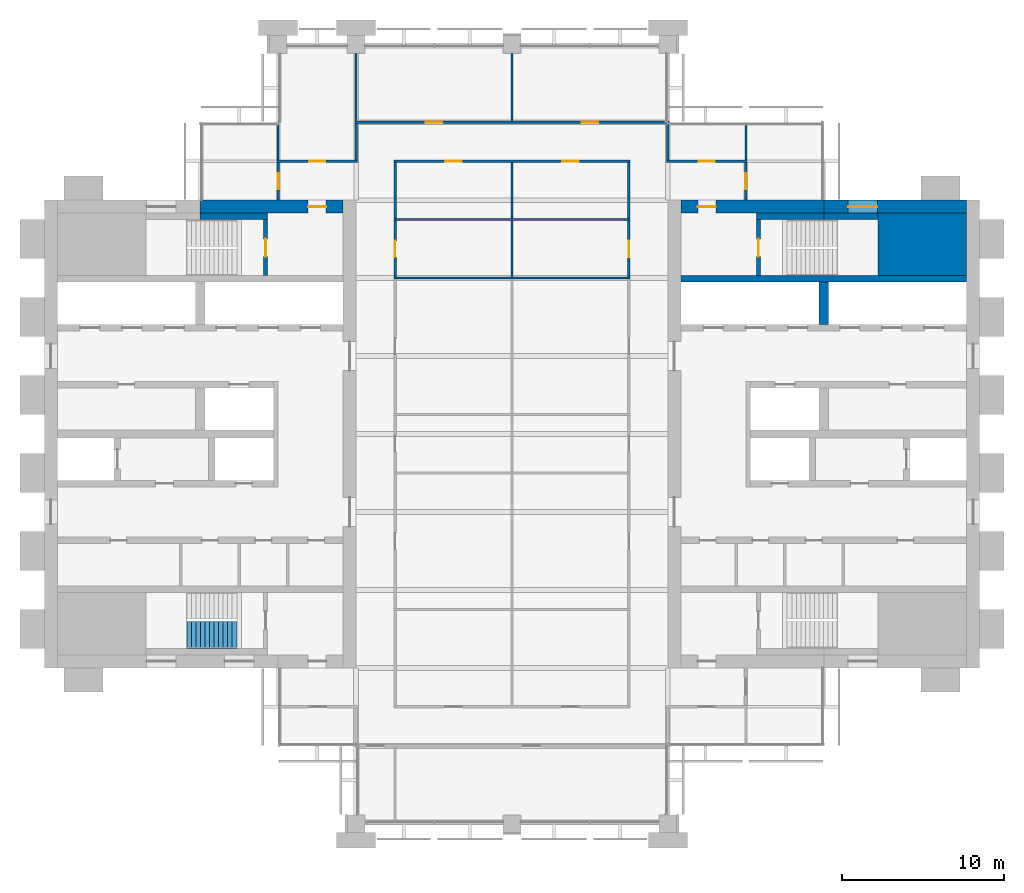
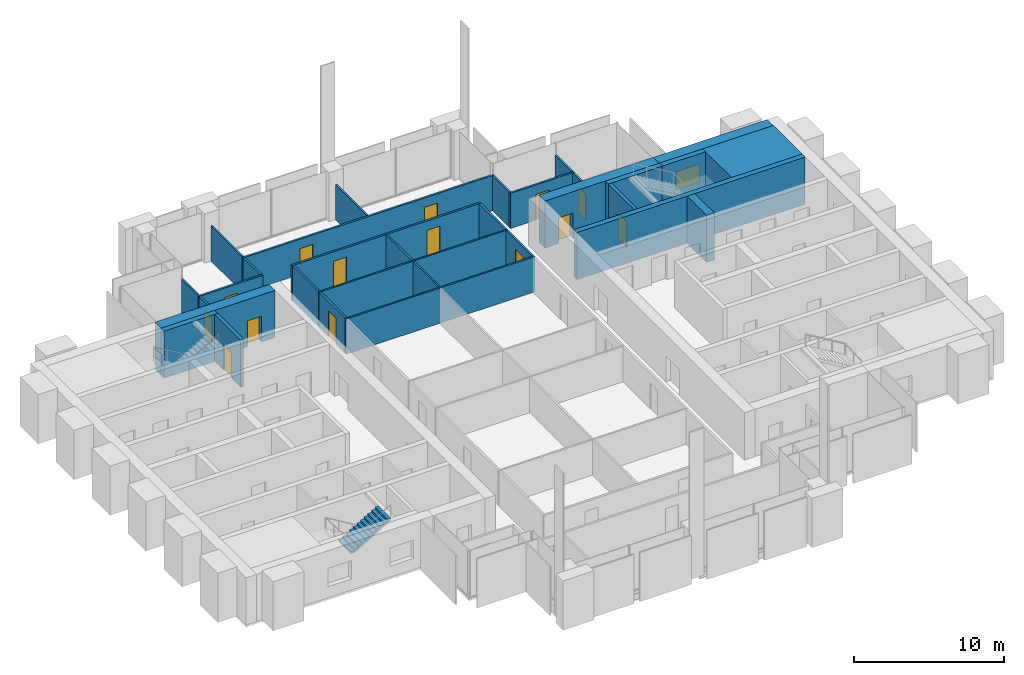
# One storey, part 11 of 13: 31 walls, 14 doors, 1 stair flight, 1 window, 15 openings, 1 element without a shape of its own.
"""IFC4 building model written with IfcOpenShell, lengths in metres."""

from ifc_helpers import new_model, si_unit, direction, frame, frame_2d, origin, place, context, subcontext, project, spatial, polyline, rectangle, outline, extrude, material, layer, layer_set, type_object, element, fill, aggregate, save


model = new_model("IFC4")

# Units and contexts
model_context = context("Model", 3, precision=1e-05, world=origin(), true_north=direction((0.0, 1.0)))
body_context = subcontext(model_context, "Body", "Model", "MODEL_VIEW")
ifc_project = project(units=[si_unit("LENGTHUNIT", "METRE"), si_unit("AREAUNIT", "SQUARE_METRE"), si_unit("VOLUMEUNIT", "CUBIC_METRE"), si_unit("PLANEANGLEUNIT", "RADIAN"), si_unit("MASSUNIT", "GRAM", prefix="KILO")], contexts=[model_context])

# Site, building, storey
site_placement = place(None, origin())
site = spatial("IfcSite", under=ifc_project, at=site_placement, CompositionType="ELEMENT")
building_placement = place(site_placement, origin())
building = spatial("IfcBuilding", under=site, at=building_placement, Name="Baori Bourse Tower", CompositionType="ELEMENT")
storey_placement = place(building_placement, frame((0.0, 0.0, 225.199951171875)))
storey = spatial("IfcBuildingStorey", under=building, at=storey_placement, Name="L49", CompositionType="ELEMENT", Elevation=225.199951171875)

# Wall
ifc_material_1 = material(Name="Concrete f'c 50 MPa", Category="concrete")
wall_type_1 = type_object("IfcWallType", Name="Core corner block f'c 50", PredefinedType="SHEAR", material=ifc_material_1)
wall_1_placement = place(storey_placement, frame((51.35009765625, 35.675048828125, 0.0), z_axis=(0.0, 0.0, 1.0), x_axis=(1.0, 0.0, 0.0)))
element("IfcWall", 1, at=wall_1_placement, inside=storey, type_object=wall_type_1, Name="Core wall E24", PredefinedType="SHEAR", context=body_context, shape_type="SweptSolid", body=[
    extrude(rectangle(XDim=5.449951171875, YDim=3.85009765625, at=frame_2d((2.72509765625, 0.0))), origin(), (0.0, 0.0, 1.0), 3.840087890625),
])

# Wall, opening, door
ifc_material_2 = material(Name="Concrete f'c 50 MPa", Category="concrete")
ifc_layer_1 = layer(ifc_material_2, 0.800048828125)
ifc_layer_set_1 = layer_set([ifc_layer_1], Name="Core wall 800 f'c 50")
wall_type_2 = type_object("IfcWallType", Name="Core wall 800 f'c 50", PredefinedType="SHEAR", material=ifc_layer_set_1)
wall_2_placement = place(storey_placement, frame((9.60009765625, 38.0, 0.0), z_axis=(0.0, 0.0, 1.0), x_axis=(1.0, 0.0, 0.0)))
wall_2 = element("IfcWall", 2, at=wall_2_placement, inside=storey, type_object=wall_type_2, Name="Core wall W28", PredefinedType="SHEAR", context=body_context, shape_type="SweptSolid", body=[
    extrude(rectangle(XDim=8.7998046875, YDim=0.800048828125, at=frame_2d((4.39990234375, 0.0))), origin(), (0.0, 0.0, 1.0), 3.840087890625),
])
opening_1_placement = place(wall_2_placement, frame((6.64990234375, 0.0, 0.0)))
opening_1 = element("IfcOpeningElement", 3, at=opening_1_placement, cuts=wall_2, Name="Opening L49-D104", PredefinedType="OPENING", context=body_context, shape_type="SweptSolid", body=[
    extrude(rectangle(XDim=1.10009765625, YDim=2.10009765625, at=frame_2d((0.550048828125, 1.050048828125))), frame((0.0, 0.409912109375, 0.0), z_axis=(0.0, -1.0, 0.0), x_axis=(1.0, 0.0, 0.0)), (0.0, 0.0, 1.0), 0.820068359375),
])
ifc_material_3 = material(Name="Painted steel door", Category="steel")
door_type_1 = type_object("IfcDoorType", Name="Stair door 1100", OperationType="SINGLE_SWING_LEFT", PredefinedType="DOOR", material=ifc_material_3)
door_1_placement = place(opening_1_placement, origin())
door_1 = element("IfcDoor", 4, at=door_1_placement, inside=storey, type_object=door_type_1, Name="Stair vestibule door B W L49", OperationType="SINGLE_SWING_LEFT", OverallHeight=2.10009765625, OverallWidth=1.10009765625, PredefinedType="DOOR", context=body_context, shape_type="SweptSolid", body=[
    extrude(rectangle(XDim=1.10009765625, YDim=2.10009765625, at=frame_2d((0.550048828125, 1.050048828125))), frame((0.0, 0.02490234375, 0.0), z_axis=(0.0, -1.0, 0.0), x_axis=(1.0, 0.0, 0.0)), (0.0, 0.0, 1.0), 0.050048828125),
])
fill(opening_1, door_1)

# Wall, opening, window
wall_3_placement = place(storey_placement, frame((48.0, 38.0, 0.0), z_axis=(0.0, 0.0, 1.0), x_axis=(1.0, 0.0, 0.0)))
wall_3 = element("IfcWall", 5, at=wall_3_placement, inside=storey, type_object=wall_type_2, Name="Core wall E28", PredefinedType="SHEAR", context=body_context, shape_type="SweptSolid", body=[
    extrude(rectangle(XDim=8.800048828125, YDim=0.800048828125, at=frame_2d((4.39990234375, 0.0))), origin(), (0.0, 0.0, 1.0), 3.840087890625),
])
opening_2_placement = place(wall_3_placement, frame((1.5, 0.0, 0.89990234375)))
opening_2 = element("IfcOpeningElement", 6, at=opening_2_placement, cuts=wall_3, Name="Opening L49-KW204", PredefinedType="OPENING", context=body_context, shape_type="SweptSolid", body=[
    extrude(rectangle(XDim=1.800048828125, YDim=1.5, at=frame_2d((0.89990234375, 0.75))), frame((0.0, 0.409912109375, 0.0), z_axis=(0.0, -1.0, 0.0), x_axis=(1.0, 0.0, 0.0)), (0.0, 0.0, 1.0), 0.820068359375),
])
ifc_material_4 = material(Name="Pale anodised aluminium", Category="aluminium")
window_type = type_object("IfcWindowType", Name="Stair window 1800 x 1500", PartitioningType="SINGLE_PANEL", PredefinedType="WINDOW", material=ifc_material_4)
window_placement = place(opening_2_placement, origin())
window = element("IfcWindow", 7, at=window_placement, inside=storey, type_object=window_type, Name="Stair window E L49 4", OverallHeight=1.5, OverallWidth=1.800048828125, PartitioningType="SINGLE_PANEL", PredefinedType="WINDOW", context=body_context, shape_type="SweptSolid", body=[
    extrude(rectangle(XDim=1.800048828125, YDim=1.5, at=frame_2d((0.89990234375, 0.75))), frame((0.0, 0.030029296875, 0.0), z_axis=(0.0, -1.0, 0.0), x_axis=(1.0, 0.0, 0.0)), (0.0, 0.0, 1.0), 0.06005859375),
])
fill(opening_2, window)

# Wall, opening, door
wall_4_placement = place(storey_placement, frame((39.199951171875, 38.0, 0.0), z_axis=(0.0, 0.0, 1.0), x_axis=(1.0, 0.0, 0.0)))
wall_4 = element("IfcWall", 8, at=wall_4_placement, inside=storey, type_object=wall_type_2, Name="Core wall E29", PredefinedType="SHEAR", context=body_context, shape_type="SweptSolid", body=[
    extrude(rectangle(XDim=8.800048828125, YDim=0.800048828125, at=frame_2d((4.39990234375, 0.0))), origin(), (0.0, 0.0, 1.0), 3.840087890625),
])
opening_3_placement = place(wall_4_placement, frame((1.050048828125, 0.0, 0.0)))
opening_3 = element("IfcOpeningElement", 9, at=opening_3_placement, cuts=wall_4, Name="Opening L49-D204", PredefinedType="OPENING", context=body_context, shape_type="SweptSolid", body=[
    extrude(rectangle(XDim=1.10009765625, YDim=2.10009765625, at=frame_2d((0.550048828125, 1.050048828125))), frame((0.0, 0.409912109375, 0.0), z_axis=(0.0, -1.0, 0.0), x_axis=(1.0, 0.0, 0.0)), (0.0, 0.0, 1.0), 0.820068359375),
])
door_2_placement = place(opening_3_placement, origin())
door_2 = element("IfcDoor", 10, at=door_2_placement, inside=storey, type_object=door_type_1, Name="Stair vestibule door B E L49", OperationType="SINGLE_SWING_LEFT", OverallHeight=2.10009765625, OverallWidth=1.10009765625, PredefinedType="DOOR", context=body_context, shape_type="SweptSolid", body=[
    extrude(rectangle(XDim=1.10009765625, YDim=2.10009765625, at=frame_2d((0.550048828125, 1.050048828125))), frame((0.0, 0.02490234375, 0.0), z_axis=(0.0, -1.0, 0.0), x_axis=(1.0, 0.0, 0.0)), (0.0, 0.0, 1.0), 0.050048828125),
])
fill(opening_3, door_2)

ifc_material_5 = material(Name="Gypsum board partition")
ifc_layer_2 = layer(ifc_material_5, 0.14990234375)
ifc_layer_set_2 = layer_set([ifc_layer_2], Name="Corridor partition 150")
wall_type_3 = type_object("IfcWallType", Name="Corridor partition 150", PredefinedType="PARTITIONING", material=ifc_layer_set_2)
wall_5_placement = place(storey_placement, frame((14.324951171875, 40.800048828125, 0.0), z_axis=(0.0, 0.0, 1.0), x_axis=(1.0, 0.0, 0.0)))
wall_5 = element("IfcWall", 11, at=wall_5_placement, inside=storey, type_object=wall_type_3, Name="Partition", PredefinedType="PARTITIONING", context=body_context, shape_type="SweptSolid", body=[
    extrude(rectangle(XDim=4.949951171875, YDim=0.14990234375, at=frame_2d((2.47509765625, 0.0))), origin(), (0.0, 0.0, 1.0), 2.869873046875),
])
opening_4_placement = place(wall_5_placement, frame((1.97509765625, 0.0, 0.0)))
opening_4 = element("IfcOpeningElement", 12, at=opening_4_placement, cuts=wall_5, Name="Opening L49-D07", PredefinedType="OPENING", context=body_context, shape_type="SweptSolid", body=[
    extrude(rectangle(XDim=1.0, YDim=2.10009765625, at=frame_2d((0.5, 1.050048828125))), frame((0.0, 0.0849609375, 0.0), z_axis=(0.0, -1.0, 0.0), x_axis=(1.0, 0.0, 0.0)), (0.0, 0.0, 1.0), 0.169921875),
])
ifc_material_6 = material(Name="Timber door leaf", Category="wood")
door_type_2 = type_object("IfcDoorType", Name="Door 1000 x 2100", OperationType="SINGLE_SWING_LEFT", PredefinedType="DOOR", material=ifc_material_6)
door_3_placement = place(opening_4_placement, origin())
door_3 = element("IfcDoor", 13, at=door_3_placement, inside=storey, type_object=door_type_2, Name="Door", OperationType="SINGLE_SWING_LEFT", OverallHeight=2.10009765625, OverallWidth=1.0, PredefinedType="DOOR", context=body_context, shape_type="SweptSolid", body=[
    extrude(rectangle(XDim=1.0, YDim=2.10009765625, at=frame_2d((0.5, 1.050048828125))), frame((0.0, 0.02490234375, 0.0), z_axis=(0.0, -1.0, 0.0), x_axis=(1.0, 0.0, 0.0)), (0.0, 0.0, 1.0), 0.050048828125),
])
fill(opening_4, door_3)

# Wall, openings, doors
wall_6_placement = place(storey_placement, frame((21.52490234375, 40.800048828125, 0.0), z_axis=(0.0, 0.0, 1.0), x_axis=(1.0, 0.0, 0.0)))
wall_6 = element("IfcWall", 14, at=wall_6_placement, inside=storey, type_object=wall_type_3, Name="Partition", PredefinedType="PARTITIONING", context=body_context, shape_type="SweptSolid", body=[
    extrude(rectangle(XDim=14.550048828125, YDim=0.14990234375, at=frame_2d((7.27490234375, 0.0))), origin(), (0.0, 0.0, 1.0), 2.869873046875),
])
opening_5_placement = place(wall_6_placement, frame((3.175048828125, 0.0, 0.0)))
opening_5 = element("IfcOpeningElement", 15, at=opening_5_placement, cuts=wall_6, Name="Opening L49-D08", PredefinedType="OPENING", context=body_context, shape_type="SweptSolid", body=[
    extrude(rectangle(XDim=1.0, YDim=2.10009765625, at=frame_2d((0.5, 1.050048828125))), frame((0.0, 0.0849609375, 0.0), z_axis=(0.0, -1.0, 0.0), x_axis=(1.0, 0.0, 0.0)), (0.0, 0.0, 1.0), 0.169921875),
])
opening_6_placement = place(wall_6_placement, frame((10.375, 0.0, 0.0)))
opening_6 = element("IfcOpeningElement", 16, at=opening_6_placement, cuts=wall_6, Name="Opening L49-D09", PredefinedType="OPENING", context=body_context, shape_type="SweptSolid", body=[
    extrude(rectangle(XDim=1.0, YDim=2.10009765625, at=frame_2d((0.5, 1.050048828125))), frame((0.0, 0.0849609375, 0.0), z_axis=(0.0, -1.0, 0.0), x_axis=(1.0, 0.0, 0.0)), (0.0, 0.0, 1.0), 0.169921875),
])
door_4_placement = place(opening_5_placement, origin())
door_4 = element("IfcDoor", 17, at=door_4_placement, inside=storey, type_object=door_type_2, Name="Door", OperationType="SINGLE_SWING_LEFT", OverallHeight=2.10009765625, OverallWidth=1.0, PredefinedType="DOOR", context=body_context, shape_type="SweptSolid", body=[
    extrude(rectangle(XDim=1.0, YDim=2.10009765625, at=frame_2d((0.5, 1.050048828125))), frame((0.0, 0.02490234375, 0.0), z_axis=(0.0, -1.0, 0.0), x_axis=(1.0, 0.0, 0.0)), (0.0, 0.0, 1.0), 0.050048828125),
])
fill(opening_5, door_4)
door_5_placement = place(opening_6_placement, origin())
door_5 = element("IfcDoor", 18, at=door_5_placement, inside=storey, type_object=door_type_2, Name="Door", OperationType="SINGLE_SWING_RIGHT", OverallHeight=2.10009765625, OverallWidth=1.0, PredefinedType="DOOR", context=body_context, shape_type="SweptSolid", body=[
    extrude(rectangle(XDim=1.0, YDim=2.10009765625, at=frame_2d((0.5, 1.050048828125))), frame((0.0, 0.02490234375, 0.0), z_axis=(0.0, -1.0, 0.0), x_axis=(1.0, 0.0, 0.0)), (0.0, 0.0, 1.0), 0.050048828125),
])
fill(opening_6, door_5)

# Wall, opening, door
wall_7_placement = place(storey_placement, frame((38.324951171875, 40.800048828125, 0.0), z_axis=(0.0, 0.0, 1.0), x_axis=(1.0, 0.0, 0.0)))
wall_7 = element("IfcWall", 19, at=wall_7_placement, inside=storey, type_object=wall_type_3, Name="Partition", PredefinedType="PARTITIONING", context=body_context, shape_type="SweptSolid", body=[
    extrude(rectangle(XDim=4.949951171875, YDim=0.14990234375, at=frame_2d((2.47509765625, 0.0))), origin(), (0.0, 0.0, 1.0), 2.869873046875),
])
opening_7_placement = place(wall_7_placement, frame((1.97509765625, 0.0, 0.0)))
opening_7 = element("IfcOpeningElement", 20, at=opening_7_placement, cuts=wall_7, Name="Opening L49-D10", PredefinedType="OPENING", context=body_context, shape_type="SweptSolid", body=[
    extrude(rectangle(XDim=1.0, YDim=2.10009765625, at=frame_2d((0.5, 1.050048828125))), frame((0.0, 0.0849609375, 0.0), z_axis=(0.0, -1.0, 0.0), x_axis=(1.0, 0.0, 0.0)), (0.0, 0.0, 1.0), 0.169921875),
])
door_6_placement = place(opening_7_placement, origin())
door_6 = element("IfcDoor", 21, at=door_6_placement, inside=storey, type_object=door_type_2, Name="Door", OperationType="SINGLE_SWING_RIGHT", OverallHeight=2.10009765625, OverallWidth=1.0, PredefinedType="DOOR", context=body_context, shape_type="SweptSolid", body=[
    extrude(rectangle(XDim=1.0, YDim=2.10009765625, at=frame_2d((0.5, 1.050048828125))), frame((0.0, 0.02490234375, 0.0), z_axis=(0.0, -1.0, 0.0), x_axis=(1.0, 0.0, 0.0)), (0.0, 0.0, 1.0), 0.050048828125),
])
fill(opening_7, door_6)

# Wall, openings, doors
wall_8_placement = place(storey_placement, frame((19.125, 43.199951171875, 0.0), z_axis=(0.0, 0.0, 1.0), x_axis=(1.0, 0.0, 0.0)))
wall_8 = element("IfcWall", 22, at=wall_8_placement, inside=storey, type_object=wall_type_3, Name="Partition", PredefinedType="PARTITIONING", context=body_context, shape_type="SweptSolid", body=[
    extrude(rectangle(XDim=19.35009765625, YDim=0.14990234375, at=frame_2d((9.675048828125, 0.0))), origin(), (0.0, 0.0, 1.0), 2.869873046875),
])
opening_8_placement = place(wall_8_placement, frame((4.375, 0.0, 0.0)))
opening_8 = element("IfcOpeningElement", 23, at=opening_8_placement, cuts=wall_8, Name="Opening L49-D11", PredefinedType="OPENING", context=body_context, shape_type="SweptSolid", body=[
    extrude(rectangle(XDim=1.0, YDim=2.10009765625, at=frame_2d((0.5, 1.050048828125))), frame((0.0, 0.0849609375, 0.0), z_axis=(0.0, -1.0, 0.0), x_axis=(1.0, 0.0, 0.0)), (0.0, 0.0, 1.0), 0.169921875),
])
opening_9_placement = place(wall_8_placement, frame((13.97509765625, 0.0, 0.0)))
opening_9 = element("IfcOpeningElement", 24, at=opening_9_placement, cuts=wall_8, Name="Opening L49-D12", PredefinedType="OPENING", context=body_context, shape_type="SweptSolid", body=[
    extrude(rectangle(XDim=1.0, YDim=2.10009765625, at=frame_2d((0.5, 1.050048828125))), frame((0.0, 0.0849609375, 0.0), z_axis=(0.0, -1.0, 0.0), x_axis=(1.0, 0.0, 0.0)), (0.0, 0.0, 1.0), 0.169921875),
])
door_7_placement = place(opening_8_placement, origin())
door_7 = element("IfcDoor", 25, at=door_7_placement, inside=storey, type_object=door_type_2, Name="Door", OperationType="SINGLE_SWING_RIGHT", OverallHeight=2.10009765625, OverallWidth=1.0, PredefinedType="DOOR", context=body_context, shape_type="SweptSolid", body=[
    extrude(rectangle(XDim=1.0, YDim=2.10009765625, at=frame_2d((0.5, 1.050048828125))), frame((0.0, 0.02490234375, 0.0), z_axis=(0.0, -1.0, 0.0), x_axis=(1.0, 0.0, 0.0)), (0.0, 0.0, 1.0), 0.050048828125),
])
fill(opening_8, door_7)
door_8_placement = place(opening_9_placement, origin())
door_8 = element("IfcDoor", 26, at=door_8_placement, inside=storey, type_object=door_type_2, Name="Door", OperationType="SINGLE_SWING_LEFT", OverallHeight=2.10009765625, OverallWidth=1.0, PredefinedType="DOOR", context=body_context, shape_type="SweptSolid", body=[
    extrude(rectangle(XDim=1.0, YDim=2.10009765625, at=frame_2d((0.5, 1.050048828125))), frame((0.0, 0.02490234375, 0.0), z_axis=(0.0, -1.0, 0.0), x_axis=(1.0, 0.0, 0.0)), (0.0, 0.0, 1.0), 0.050048828125),
])
fill(opening_9, door_8)

# Wall, opening, door
wall_9_placement = place(storey_placement, frame((14.39990234375, 38.39990234375, 0.0), z_axis=(0.0, 0.0, 1.0), x_axis=(0.0, 1.0, 0.0)))
wall_9 = element("IfcWall", 27, at=wall_9_placement, inside=storey, type_object=wall_type_3, Name="Partition", PredefinedType="PARTITIONING", context=body_context, shape_type="SweptSolid", body=[
    extrude(rectangle(XDim=2.3251953125, YDim=0.14990234375, at=frame_2d((1.16259765625, 0.0))), origin(), (0.0, 0.0, 1.0), 2.869873046875),
])
opening_10_placement = place(wall_9_placement, frame((0.66259765625, 0.0, 0.0)))
opening_10 = element("IfcOpeningElement", 28, at=opening_10_placement, cuts=wall_9, Name="Opening L49-D13", PredefinedType="OPENING", context=body_context, shape_type="SweptSolid", body=[
    extrude(rectangle(XDim=1.0, YDim=2.10009765625, at=frame_2d((0.5, 1.050048828125))), frame((0.0, 0.0849609375, 0.0), z_axis=(0.0, -1.0, 0.0), x_axis=(1.0, 0.0, 0.0)), (0.0, 0.0, 1.0), 0.169921875),
])
door_9_placement = place(opening_10_placement, origin())
door_9 = element("IfcDoor", 29, at=door_9_placement, inside=storey, type_object=door_type_2, Name="Door", OperationType="SINGLE_SWING_RIGHT", OverallHeight=2.10009765625, OverallWidth=1.0, PredefinedType="DOOR", context=body_context, shape_type="SweptSolid", body=[
    extrude(rectangle(XDim=1.0, YDim=2.10009765625, at=frame_2d((0.5, 1.050048828125))), frame((0.0, 0.02490234375, 0.0), z_axis=(0.0, -1.0, 0.0), x_axis=(1.0, 0.0, 0.0)), (0.0, 0.0, 1.0), 0.050048828125),
])
fill(opening_10, door_9)

# Wall
wall_10_placement = place(storey_placement, frame((19.199951171875, 40.875, 0.0), z_axis=(0.0, 0.0, 1.0), x_axis=(0.0, 1.0, 0.0)))
element("IfcWall", 30, at=wall_10_placement, inside=storey, type_object=wall_type_3, Name="Partition", PredefinedType="PARTITIONING", context=body_context, shape_type="SweptSolid", body=[
    extrude(rectangle(XDim=2.25, YDim=0.14990234375, at=frame_2d((1.125, 0.0))), origin(), (0.0, 0.0, 1.0), 2.869873046875),
])

# Wall, opening, door
wall_11_placement = place(storey_placement, frame((21.60009765625, 33.66259765625, 0.0), z_axis=(0.0, 0.0, 1.0), x_axis=(0.0, 1.0, 0.0)))
wall_11 = element("IfcWall", 31, at=wall_11_placement, inside=storey, type_object=wall_type_3, Name="Partition", PredefinedType="PARTITIONING", context=body_context, shape_type="SweptSolid", body=[
    extrude(rectangle(XDim=3.474853515625, YDim=0.14990234375, at=frame_2d((1.7373046875, 0.0))), origin(), (0.0, 0.0, 1.0), 2.869873046875),
])
opening_11_placement = place(wall_11_placement, frame((1.237548828125, 0.0, 0.0)))
opening_11 = element("IfcOpeningElement", 32, at=opening_11_placement, cuts=wall_11, Name="Opening L49-D17", PredefinedType="OPENING", context=body_context, shape_type="SweptSolid", body=[
    extrude(rectangle(XDim=1.0, YDim=2.10009765625, at=frame_2d((0.5, 1.050048828125))), frame((0.0, 0.0849609375, 0.0), z_axis=(0.0, -1.0, 0.0), x_axis=(1.0, 0.0, 0.0)), (0.0, 0.0, 1.0), 0.169921875),
])
door_10_placement = place(opening_11_placement, origin())
door_10 = element("IfcDoor", 33, at=door_10_placement, inside=storey, type_object=door_type_2, Name="Door", OperationType="SINGLE_SWING_LEFT", OverallHeight=2.10009765625, OverallWidth=1.0, PredefinedType="DOOR", context=body_context, shape_type="SweptSolid", body=[
    extrude(rectangle(XDim=1.0, YDim=2.10009765625, at=frame_2d((0.5, 1.050048828125))), frame((0.0, 0.02490234375, 0.0), z_axis=(0.0, -1.0, 0.0), x_axis=(1.0, 0.0, 0.0)), (0.0, 0.0, 1.0), 0.050048828125),
])
fill(opening_11, door_10)

# Wall
wall_12_placement = place(storey_placement, frame((21.60009765625, 37.262451171875, 0.0), z_axis=(0.0, 0.0, 1.0), x_axis=(0.0, 1.0, 0.0)))
element("IfcWall", 34, at=wall_12_placement, inside=storey, type_object=wall_type_3, Name="Partition", PredefinedType="PARTITIONING", context=body_context, shape_type="SweptSolid", body=[
    extrude(rectangle(XDim=3.462646484375, YDim=0.14990234375, at=frame_2d((1.7314453125, 0.0))), origin(), (0.0, 0.0, 1.0), 2.869873046875),
])

# Wall, opening, door
wall_13_placement = place(storey_placement, frame((36.0, 33.66259765625, 0.0), z_axis=(0.0, 0.0, 1.0), x_axis=(0.0, 1.0, 0.0)))
wall_13 = element("IfcWall", 35, at=wall_13_placement, inside=storey, type_object=wall_type_3, Name="Partition", PredefinedType="PARTITIONING", context=body_context, shape_type="SweptSolid", body=[
    extrude(rectangle(XDim=3.474853515625, YDim=0.14990234375, at=frame_2d((1.7373046875, 0.0))), origin(), (0.0, 0.0, 1.0), 2.869873046875),
])
opening_12_placement = place(wall_13_placement, frame((1.237548828125, 0.0, 0.0)))
opening_12 = element("IfcOpeningElement", 36, at=opening_12_placement, cuts=wall_13, Name="Opening L49-D21", PredefinedType="OPENING", context=body_context, shape_type="SweptSolid", body=[
    extrude(rectangle(XDim=1.0, YDim=2.10009765625, at=frame_2d((0.5, 1.050048828125))), frame((0.0, 0.0849609375, 0.0), z_axis=(0.0, -1.0, 0.0), x_axis=(1.0, 0.0, 0.0)), (0.0, 0.0, 1.0), 0.169921875),
])
door_11_placement = place(opening_12_placement, origin())
door_11 = element("IfcDoor", 37, at=door_11_placement, inside=storey, type_object=door_type_2, Name="Door", OperationType="SINGLE_SWING_RIGHT", OverallHeight=2.10009765625, OverallWidth=1.0, PredefinedType="DOOR", context=body_context, shape_type="SweptSolid", body=[
    extrude(rectangle(XDim=1.0, YDim=2.10009765625, at=frame_2d((0.5, 1.050048828125))), frame((0.0, 0.02490234375, 0.0), z_axis=(0.0, -1.0, 0.0), x_axis=(1.0, 0.0, 0.0)), (0.0, 0.0, 1.0), 0.050048828125),
])
fill(opening_12, door_11)

# Walls
wall_14_placement = place(storey_placement, frame((36.0, 37.262451171875, 0.0), z_axis=(0.0, 0.0, 1.0), x_axis=(0.0, 1.0, 0.0)))
element("IfcWall", 38, at=wall_14_placement, inside=storey, type_object=wall_type_3, Name="Partition", PredefinedType="PARTITIONING", context=body_context, shape_type="SweptSolid", body=[
    extrude(rectangle(XDim=3.462646484375, YDim=0.14990234375, at=frame_2d((1.7314453125, 0.0))), origin(), (0.0, 0.0, 1.0), 2.869873046875),
])
wall_15_placement = place(storey_placement, frame((38.39990234375, 40.875, 0.0), z_axis=(0.0, 0.0, 1.0), x_axis=(0.0, 1.0, 0.0)))
element("IfcWall", 39, at=wall_15_placement, inside=storey, type_object=wall_type_3, Name="Partition", PredefinedType="PARTITIONING", context=body_context, shape_type="SweptSolid", body=[
    extrude(rectangle(XDim=2.25, YDim=0.14990234375, at=frame_2d((1.125, 0.0))), origin(), (0.0, 0.0, 1.0), 2.869873046875),
])

# Wall, opening, door
wall_16_placement = place(storey_placement, frame((43.199951171875, 38.39990234375, 0.0), z_axis=(0.0, 0.0, 1.0), x_axis=(0.0, 1.0, 0.0)))
wall_16 = element("IfcWall", 40, at=wall_16_placement, inside=storey, type_object=wall_type_3, Name="Partition", PredefinedType="PARTITIONING", context=body_context, shape_type="SweptSolid", body=[
    extrude(rectangle(XDim=2.3251953125, YDim=0.14990234375, at=frame_2d((1.16259765625, 0.0))), origin(), (0.0, 0.0, 1.0), 2.869873046875),
])
opening_13_placement = place(wall_16_placement, frame((0.66259765625, 0.0, 0.0)))
opening_13 = element("IfcOpeningElement", 41, at=opening_13_placement, cuts=wall_16, Name="Opening L49-D23", PredefinedType="OPENING", context=body_context, shape_type="SweptSolid", body=[
    extrude(rectangle(XDim=1.0, YDim=2.10009765625, at=frame_2d((0.5, 1.050048828125))), frame((0.0, 0.0849609375, 0.0), z_axis=(0.0, -1.0, 0.0), x_axis=(1.0, 0.0, 0.0)), (0.0, 0.0, 1.0), 0.169921875),
])
door_12_placement = place(opening_13_placement, origin())
door_12 = element("IfcDoor", 42, at=door_12_placement, inside=storey, type_object=door_type_2, Name="Door", OperationType="SINGLE_SWING_LEFT", OverallHeight=2.10009765625, OverallWidth=1.0, PredefinedType="DOOR", context=body_context, shape_type="SweptSolid", body=[
    extrude(rectangle(XDim=1.0, YDim=2.10009765625, at=frame_2d((0.5, 1.050048828125))), frame((0.0, 0.02490234375, 0.0), z_axis=(0.0, -1.0, 0.0), x_axis=(1.0, 0.0, 0.0)), (0.0, 0.0, 1.0), 0.050048828125),
])
fill(opening_13, door_12)

# Walls
ifc_material_7 = material(Name="Gypsum board partition")
ifc_layer_3 = layer(ifc_material_7, 0.125)
ifc_layer_set_3 = layer_set([ifc_layer_3], Name="Partition 125")
wall_type_4 = type_object("IfcWallType", Name="Partition 125", PredefinedType="PARTITIONING", material=ifc_layer_set_3)
for number, where, z_axis, x_axis, name in (
    (43, (21.52490234375, 33.60009765625, 0.0), (0.0, 0.0, 1.0), (1.0, 0.0, 0.0), "Partition"),
    (44, (21.52490234375, 37.199951171875, 0.0), (0.0, 0.0, 1.0), (1.0, 0.0, 0.0), "Partition"),
):
    element("IfcWall", number, at=place(storey_placement, frame(where, z_axis=z_axis, x_axis=x_axis)), inside=storey, type_object=wall_type_4, Name=name, PredefinedType="PARTITIONING", context=body_context, shape_type="SweptSolid", body=[
        extrude(rectangle(XDim=14.550048828125, YDim=0.125, at=frame_2d((7.27490234375, 0.0))), origin(), (0.0, 0.0, 1.0), 2.869873046875),
    ])
wall_17_placement = place(storey_placement, frame((14.39990234375, 40.875, 0.0), z_axis=(0.0, 0.0, 1.0), x_axis=(0.0, 1.0, 0.0)))
element("IfcWall", 45, at=wall_17_placement, inside=storey, type_object=wall_type_4, Name="Partition", PredefinedType="PARTITIONING", context=body_context, shape_type="SweptSolid", body=[
    extrude(rectangle(XDim=2.22509765625, YDim=0.125, at=frame_2d((1.112548828125, 0.0))), origin(), (0.0, 0.0, 1.0), 2.869873046875),
])
wall_18_placement = place(storey_placement, frame((19.199951171875, 43.27490234375, 0.0), z_axis=(0.0, 0.0, 1.0), x_axis=(0.0, 1.0, 0.0)))
element("IfcWall", 46, at=wall_18_placement, inside=storey, type_object=wall_type_4, Name="Partition", PredefinedType="PARTITIONING", context=body_context, shape_type="SweptSolid", body=[
    extrude(rectangle(XDim=4.175048828125, YDim=0.125, at=frame_2d((2.08740234375, 0.0))), origin(), (0.0, 0.0, 1.0), 2.869873046875),
])
wall_19_placement = place(storey_placement, frame((28.800048828125, 33.66259765625, 0.0), z_axis=(0.0, 0.0, 1.0), x_axis=(0.0, 1.0, 0.0)))
element("IfcWall", 47, at=wall_19_placement, inside=storey, type_object=wall_type_4, Name="Partition", PredefinedType="PARTITIONING", context=body_context, shape_type="SweptSolid", body=[
    extrude(rectangle(XDim=3.474853515625, YDim=0.125, at=frame_2d((1.7373046875, 0.0))), origin(), (0.0, 0.0, 1.0), 2.869873046875),
])
wall_20_placement = place(storey_placement, frame((28.800048828125, 37.262451171875, 0.0), z_axis=(0.0, 0.0, 1.0), x_axis=(0.0, 1.0, 0.0)))
element("IfcWall", 48, at=wall_20_placement, inside=storey, type_object=wall_type_4, Name="Partition", PredefinedType="PARTITIONING", context=body_context, shape_type="SweptSolid", body=[
    extrude(rectangle(XDim=3.462646484375, YDim=0.125, at=frame_2d((1.7314453125, 0.0))), origin(), (0.0, 0.0, 1.0), 2.869873046875),
])
wall_21_placement = place(storey_placement, frame((28.800048828125, 43.27490234375, 0.0), z_axis=(0.0, 0.0, 1.0), x_axis=(0.0, 1.0, 0.0)))
element("IfcWall", 49, at=wall_21_placement, inside=storey, type_object=wall_type_4, Name="Partition", PredefinedType="PARTITIONING", context=body_context, shape_type="SweptSolid", body=[
    extrude(rectangle(XDim=4.175048828125, YDim=0.125, at=frame_2d((2.08740234375, 0.0))), origin(), (0.0, 0.0, 1.0), 2.869873046875),
])
wall_22_placement = place(storey_placement, frame((43.199951171875, 40.875, 0.0), z_axis=(0.0, 0.0, 1.0), x_axis=(0.0, 1.0, 0.0)))
element("IfcWall", 50, at=wall_22_placement, inside=storey, type_object=wall_type_4, Name="Partition", PredefinedType="PARTITIONING", context=body_context, shape_type="SweptSolid", body=[
    extrude(rectangle(XDim=2.22509765625, YDim=0.125, at=frame_2d((1.112548828125, 0.0))), origin(), (0.0, 0.0, 1.0), 2.869873046875),
])

# Wall, opening, door
ifc_material_8 = material(Name="Concrete f'c 50 MPa", Category="concrete")
ifc_layer_4 = layer(ifc_material_8, 0.25)
ifc_layer_set_4 = layer_set([ifc_layer_4], Name="Shaft wall 250 f'c 50")
wall_type_5 = type_object("IfcWallType", Name="Shaft wall 250 f'c 50", PredefinedType="SHEAR", material=ifc_layer_set_4)
wall_23_placement = place(storey_placement, frame((13.625, 33.75, 0.0), z_axis=(0.0, 0.0, 1.0), x_axis=(0.0, 1.0, 0.0)))
wall_23 = element("IfcWall", 51, at=wall_23_placement, inside=storey, type_object=wall_type_5, Name="Core wall W24", PredefinedType="SHEAR", context=body_context, shape_type="SweptSolid", body=[
    extrude(rectangle(XDim=3.449951171875, YDim=0.25, at=frame_2d((1.72509765625, 0.0))), origin(), (0.0, 0.0, 1.0), 3.840087890625),
])
opening_14_placement = place(wall_23_placement, frame((1.175048828125, 0.0, 0.0)))
opening_14 = element("IfcOpeningElement", 52, at=opening_14_placement, cuts=wall_23, Name="Opening L49-D103", PredefinedType="OPENING", context=body_context, shape_type="SweptSolid", body=[
    extrude(rectangle(XDim=1.10009765625, YDim=2.10009765625, at=frame_2d((0.550048828125, 1.050048828125))), frame((0.0, 0.135009765625, 0.0), z_axis=(0.0, -1.0, 0.0), x_axis=(1.0, 0.0, 0.0)), (0.0, 0.0, 1.0), 0.27001953125),
])
door_13_placement = place(opening_14_placement, origin())
door_13 = element("IfcDoor", 53, at=door_13_placement, inside=storey, type_object=door_type_1, Name="Stair door B W L49", OperationType="SINGLE_SWING_LEFT", OverallHeight=2.10009765625, OverallWidth=1.10009765625, PredefinedType="DOOR", context=body_context, shape_type="SweptSolid", body=[
    extrude(rectangle(XDim=1.10009765625, YDim=2.10009765625, at=frame_2d((0.550048828125, 1.050048828125))), frame((0.0, 0.02490234375, 0.0), z_axis=(0.0, -1.0, 0.0), x_axis=(1.0, 0.0, 0.0)), (0.0, 0.0, 1.0), 0.050048828125),
])
fill(opening_14, door_13)

wall_24_placement = place(storey_placement, frame((43.97509765625, 33.75, 0.0), z_axis=(0.0, 0.0, 1.0), x_axis=(0.0, 1.0, 0.0)))
wall_24 = element("IfcWall", 54, at=wall_24_placement, inside=storey, type_object=wall_type_5, Name="Core wall E25", PredefinedType="SHEAR", context=body_context, shape_type="SweptSolid", body=[
    extrude(rectangle(XDim=3.449951171875, YDim=0.25, at=frame_2d((1.72509765625, 0.0))), origin(), (0.0, 0.0, 1.0), 3.840087890625),
])
opening_15_placement = place(wall_24_placement, frame((1.175048828125, 0.0, 0.0)))
opening_15 = element("IfcOpeningElement", 55, at=opening_15_placement, cuts=wall_24, Name="Opening L49-D203", PredefinedType="OPENING", context=body_context, shape_type="SweptSolid", body=[
    extrude(rectangle(XDim=1.10009765625, YDim=2.10009765625, at=frame_2d((0.550048828125, 1.050048828125))), frame((0.0, 0.135009765625, 0.0), z_axis=(0.0, -1.0, 0.0), x_axis=(1.0, 0.0, 0.0)), (0.0, 0.0, 1.0), 0.27001953125),
])
door_14_placement = place(opening_15_placement, origin())
door_14 = element("IfcDoor", 56, at=door_14_placement, inside=storey, type_object=door_type_1, Name="Stair door B E L49", OperationType="SINGLE_SWING_LEFT", OverallHeight=2.10009765625, OverallWidth=1.10009765625, PredefinedType="DOOR", context=body_context, shape_type="SweptSolid", body=[
    extrude(rectangle(XDim=1.10009765625, YDim=2.10009765625, at=frame_2d((0.550048828125, 1.050048828125))), frame((0.0, 0.02490234375, 0.0), z_axis=(0.0, -1.0, 0.0), x_axis=(1.0, 0.0, 0.0)), (0.0, 0.0, 1.0), 0.050048828125),
])
fill(opening_15, door_14)

# Walls
ifc_material_9 = material(Name="Concrete f'c 50 MPa", Category="concrete")
ifc_layer_5 = layer(ifc_material_9, 0.39990234375)
ifc_layer_set_5 = layer_set([ifc_layer_5], Name="Shaft wall 400 f'c 50")
wall_type_6 = type_object("IfcWallType", Name="Shaft wall 400 f'c 50", PredefinedType="SHEAR", material=ifc_layer_set_5)
wall_25_placement = place(storey_placement, frame((9.60009765625, 37.39990234375, 0.0), z_axis=(0.0, 0.0, 1.0), x_axis=(1.0, 0.0, 0.0)))
element("IfcWall", 57, at=wall_25_placement, inside=storey, type_object=wall_type_6, Name="Core wall W26", PredefinedType="SHEAR", context=body_context, shape_type="SweptSolid", body=[
    extrude(rectangle(XDim=4.14990234375, YDim=0.39990234375, at=frame_2d((2.074951171875, 0.0))), origin(), (0.0, 0.0, 1.0), 3.840087890625),
])
wall_26_placement = place(storey_placement, frame((39.199951171875, 33.550048828125, 0.0), z_axis=(0.0, 0.0, 1.0), x_axis=(1.0, 0.0, 0.0)))
element("IfcWall", 58, at=wall_26_placement, inside=storey, type_object=wall_type_6, Name="Core wall E23", PredefinedType="SHEAR", context=body_context, shape_type="SweptSolid", body=[
    extrude(rectangle(XDim=17.60009765625, YDim=0.39990234375, at=frame_2d((8.800048828125, 0.0))), origin(), (0.0, 0.0, 1.0), 3.840087890625),
])
wall_27_placement = place(storey_placement, frame((48.0, 37.39990234375, 0.0), z_axis=(0.0, 0.0, 1.0), x_axis=(1.0, 0.0, 0.0)))
element("IfcWall", 59, at=wall_27_placement, inside=storey, type_object=wall_type_6, Name="Core wall E26", PredefinedType="SHEAR", context=body_context, shape_type="SweptSolid", body=[
    extrude(rectangle(XDim=3.35009765625, YDim=0.39990234375, at=frame_2d((1.675048828125, 0.0))), origin(), (0.0, 0.0, 1.0), 3.840087890625),
])
wall_28_placement = place(storey_placement, frame((43.85009765625, 37.39990234375, 0.0), z_axis=(0.0, 0.0, 1.0), x_axis=(1.0, 0.0, 0.0)))
element("IfcWall", 60, at=wall_28_placement, inside=storey, type_object=wall_type_6, Name="Core wall E27", PredefinedType="SHEAR", context=body_context, shape_type="SweptSolid", body=[
    extrude(rectangle(XDim=4.14990234375, YDim=0.39990234375, at=frame_2d((2.074951171875, 0.0))), origin(), (0.0, 0.0, 1.0), 3.840087890625),
])
ifc_material_10 = material(Name="Concrete f'c 50 MPa", Category="concrete")
ifc_layer_6 = layer(ifc_material_10, 0.60009765625)
ifc_layer_set_6 = layer_set([ifc_layer_6], Name="Shaft wall 600 f'c 50")
wall_type_7 = type_object("IfcWallType", Name="Shaft wall 600 f'c 50", PredefinedType="SHEAR", material=ifc_layer_set_6)
wall_29_placement = place(storey_placement, frame((48.0, 30.75, 0.0), z_axis=(0.0, 0.0, 1.0), x_axis=(0.0, 1.0, 0.0)))
element("IfcWall", 61, at=wall_29_placement, inside=storey, type_object=wall_type_7, Name="Core wall E22", PredefinedType="SHEAR", context=body_context, shape_type="SweptSolid", body=[
    extrude(rectangle(XDim=2.60009765625, YDim=0.60009765625, at=frame_2d((1.300048828125, 0.0))), origin(), (0.0, 0.0, 1.0), 3.840087890625),
])

# Stair, stair flight
ifc_material_11 = material(Name="Concrete f'c 50 MPa", Category="concrete")
stair_type = type_object("IfcStairType", Name="Core stair", PredefinedType="HALF_TURN_STAIR", material=ifc_material_11)
stair_placement = place(storey_placement, origin())
stair = element("IfcStair", 62, at=stair_placement, inside=storey, type_object=stair_type, Name="L49 Stair WA", PredefinedType="HALF_TURN_STAIR")
ifc_material_12 = material(Name="Concrete f'c 50 MPa", Category="concrete")
stair_flight_type = type_object("IfcStairFlightType", Name="Core stair flight", PredefinedType="STRAIGHT", material=ifc_material_12)
stair_flight_placement = place(storey_placement, frame((8.77001953125, 11.625, 2.0), z_axis=(0.0, 0.0, 1.0), x_axis=(1.0, 0.0, 0.0)))
stair_flight = element("IfcStairFlight", 63, at=stair_flight_placement, type_object=stair_flight_type, Name="ST1 flight 2", NumberOfRisers=12, NumberOfTreads=11, PredefinedType="STRAIGHT", RiserHeight=0.166666667, TreadLength=0.28, context=body_context, shape_type="SweptSolid", body=[
    extrude(outline(polyline([(0.0, 0.0), (0.0, 0.166748046875), (0.280029296875, 0.166748046875), (0.280029296875, 0.333251953125), (0.56005859375, 0.333251953125), (0.56005859375, 0.5), (0.840087890625, 0.5), (0.840087890625, 0.666748046875), (1.1201171875, 0.666748046875), (1.1201171875, 0.833251953125), (1.39990234375, 0.833251953125), (1.39990234375, 1.0), (1.679931640625, 1.0), (1.679931640625, 1.166748046875), (1.9599609375, 1.166748046875), (1.9599609375, 1.333251953125), (2.239990234375, 1.333251953125), (2.239990234375, 1.5), (2.52001953125, 1.5), (2.52001953125, 1.666748046875), (2.800048828125, 1.666748046875), (2.800048828125, 1.833251953125), (3.080078125, 1.833251953125), (3.080078125, 2.0), (3.080078125, 1.658935546875), (0.29296875, 0.0), (0.0, 0.0)])), frame((0.0, 0.824951171875, 0.0), z_axis=(0.0, -1.0, 0.0), x_axis=(1.0, 0.0, 0.0)), (0.0, 0.0, 1.0), 1.64990234375),
])
aggregate(stair, [stair_flight])

save(model, "model.ifc")
